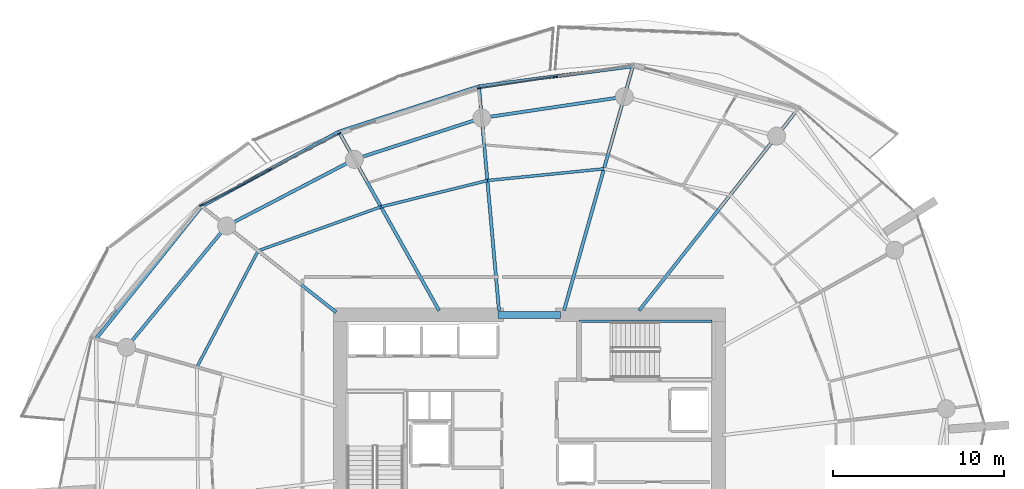
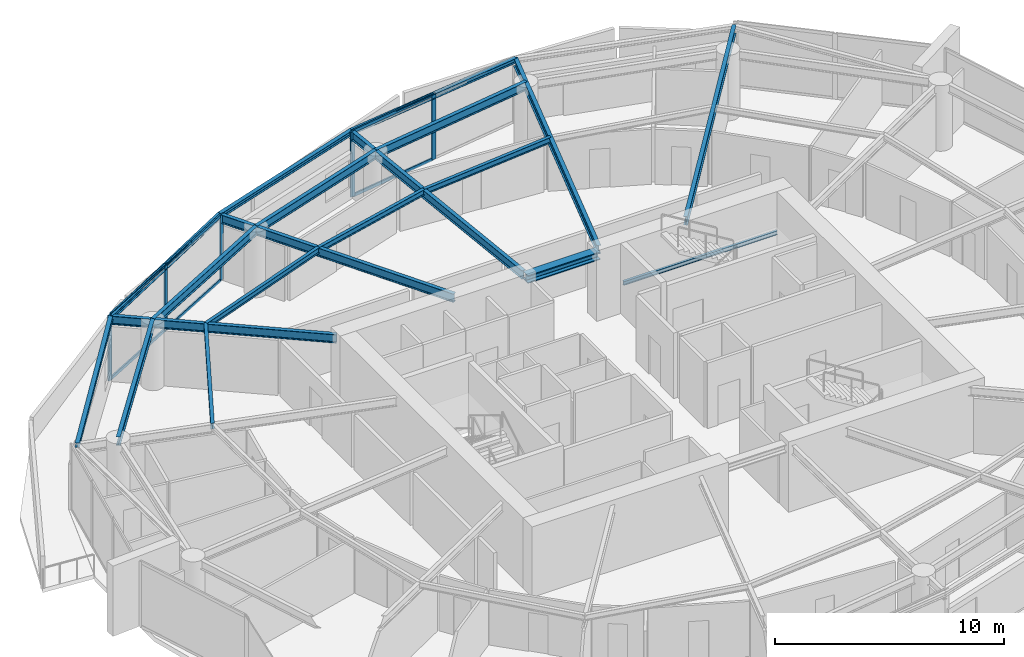
# One storey, part 8 of 20: 19 beams, 11 members, 2 elements without a shape of their own.
"""IFC4 building model written with IfcOpenShell, lengths in metres."""

from ifc_helpers import new_model, si_unit, direction, frame, origin, origin_2d, place, context, subcontext, project, spatial, rectangle, i_section, extrude, material, layer, layer_set, material_profile, profile_set, type_object, element, aggregate, save


model = new_model("IFC4")

# Units and contexts
model_context = context("Model", 3, precision=1e-05, world=origin(), true_north=direction((0.0, 1.0)))
body_context = subcontext(model_context, "Body", "Model", "MODEL_VIEW")
ifc_project = project(units=[si_unit("LENGTHUNIT", "METRE"), si_unit("AREAUNIT", "SQUARE_METRE"), si_unit("VOLUMEUNIT", "CUBIC_METRE"), si_unit("PLANEANGLEUNIT", "RADIAN"), si_unit("MASSUNIT", "GRAM", prefix="KILO")], contexts=[model_context])

# Site, building, storey
site_placement = place(None, origin())
site = spatial("IfcSite", under=ifc_project, at=site_placement, CompositionType="ELEMENT")
building_placement = place(site_placement, origin())
building = spatial("IfcBuilding", under=site, at=building_placement, Name="Kazma Halo Residences", CompositionType="ELEMENT")
storey_placement = place(building_placement, frame((0.0, 0.0, 131.550048828125)))
storey = spatial("IfcBuildingStorey", under=building, at=storey_placement, Name="L32", CompositionType="ELEMENT", Elevation=131.550048828125)

# Beams
ifc_material_1 = material(Name="Steel S355", Category="steel")
ifc_material_profile_1 = material_profile(ifc_material_1, i_section(OverallWidth=0.201904296875, OverallDepth=0.2470703125, WebThickness=0.00732421875, FlangeThickness=0.010986328125, FilletRadius=0.011962890625, at=origin_2d()), Name="W250x49.1")
ifc_profile_set_1 = profile_set([ifc_material_profile_1], Name="Steel S355")
beam_type_1 = type_object("IfcBeamType", Name="BM-BAL-CANT", PredefinedType="BEAM", material=ifc_profile_set_1)
beam_1_placement = place(storey_placement, frame((54.459228515625, 64.90234375, 3.37646484375), z_axis=(-0.991489228614, -0.130188745839, 0.0), x_axis=(0.130188745839, -0.991489228614, 0.0)))
element("IfcBeam", 1, at=beam_1_placement, inside=storey, type_object=beam_type_1, Name="L32 wave-balcony tie beam 03", PredefinedType="BEAM", context=body_context, shape_type="SweptSolid", body=[
    extrude(i_section(OverallWidth=0.201904296875, OverallDepth=0.2470703125, WebThickness=0.00732421875, FlangeThickness=0.010986328125, FilletRadius=0.011962890625, at=origin_2d()), origin(), (0.0, 0.0, 1.0), 9.053955078125),
])
beam_2_placement = place(storey_placement, frame((45.482421875, 63.7236328125, 3.37646484375), z_axis=(-0.951458235255, -0.307777885115, 0.0), x_axis=(0.307777885115, -0.951458235255, 0.0)))
element("IfcBeam", 2, at=beam_2_placement, inside=storey, type_object=beam_type_1, Name="L32 wave-balcony tie beam 04", PredefinedType="BEAM", context=body_context, shape_type="SweptSolid", body=[
    extrude(i_section(OverallWidth=0.201904296875, OverallDepth=0.2470703125, WebThickness=0.00732421875, FlangeThickness=0.010986328125, FilletRadius=0.011962890625, at=origin_2d()), origin(), (0.0, 0.0, 1.0), 8.585205078125),
])
beam_3_placement = place(storey_placement, frame((37.31396484375, 61.081298828125, 3.37646484375), z_axis=(-0.878572913315, -0.477608245312, 0.0), x_axis=(0.477608245312, -0.878572913315, 0.0)))
element("IfcBeam", 3, at=beam_3_placement, inside=storey, type_object=beam_type_1, Name="L32 wave-balcony tie beam 05", PredefinedType="BEAM", context=body_context, shape_type="SweptSolid", body=[
    extrude(i_section(OverallWidth=0.201904296875, OverallDepth=0.2470703125, WebThickness=0.00732421875, FlangeThickness=0.010986328125, FilletRadius=0.011962890625, at=origin_2d()), origin(), (0.0, 0.0, 1.0), 9.107177734375),
])
beam_4_placement = place(storey_placement, frame((29.312744140625, 56.731689453125, 3.37646484375), z_axis=(-0.623742400336, -0.781629975131, 0.0), x_axis=(0.781629975131, -0.623742400336, 0.0)))
element("IfcBeam", 4, at=beam_4_placement, inside=storey, type_object=beam_type_1, Name="L32 wave-balcony tie beam 06", PredefinedType="BEAM", context=body_context, shape_type="SweptSolid", body=[
    extrude(i_section(OverallWidth=0.201904296875, OverallDepth=0.2470703125, WebThickness=0.00732421875, FlangeThickness=0.010986328125, FilletRadius=0.011962890625, at=origin_2d()), origin(), (0.0, 0.0, 1.0), 9.880859375),
])
ifc_material_profile_2 = material_profile(ifc_material_1, i_section(OverallWidth=0.408935546875, OverallDepth=0.425048828125, WebThickness=0.03271484375, FlangeThickness=0.052490234375, FilletRadius=0.02001953125, at=origin_2d()), Name="W360x421")
ifc_profile_set_2 = profile_set([ifc_material_profile_2], Name="Steel S355")
beam_type_2 = type_object("IfcBeamType", Name="BM-CORE-W360H", PredefinedType="BEAM", material=ifc_profile_set_2)
beam_5_placement = place(storey_placement, frame((46.60009765625, 50.39990234375, 3.287353515625), z_axis=(1.0, 0.0, 0.0), x_axis=(0.0, 1.0, 0.0)))
element("IfcBeam", 5, at=beam_5_placement, inside=storey, type_object=beam_type_2, Name="L32 core coupling beam N", PredefinedType="BEAM", context=body_context, shape_type="SweptSolid", body=[
    extrude(i_section(OverallWidth=0.408935546875, OverallDepth=0.425048828125, WebThickness=0.03271484375, FlangeThickness=0.052490234375, FilletRadius=0.02001953125, at=origin_2d()), origin(), (0.0, 0.0, 1.0), 3.64990234375),
])
ifc_material_profile_3 = material_profile(ifc_material_1, i_section(OverallWidth=0.18994140625, OverallDepth=0.45703125, WebThickness=0.009033203125, FlangeThickness=0.014404296875, FilletRadius=0.01611328125, at=origin_2d()), Name="W460x74")
ifc_profile_set_3 = profile_set([ifc_material_profile_3], Name="Steel S355")
beam_type_3 = type_object("IfcBeamType", Name="BM-RAD-W460", PredefinedType="BEAM", material=ifc_profile_set_3)
beam_6_placement = place(storey_placement, frame((54.819091796875, 50.64990234375, 3.271484375), z_axis=(0.619094498239, 0.785316498139, 0.0), x_axis=(-0.785316498139, 0.619094498239, 0.0)))
element("IfcBeam", 6, at=beam_6_placement, inside=storey, type_object=beam_type_3, Name="L32 radial floor beam 02", PredefinedType="BEAM", context=body_context, shape_type="SweptSolid", body=[
    extrude(i_section(OverallWidth=0.18994140625, OverallDepth=0.45703125, WebThickness=0.009033203125, FlangeThickness=0.014404296875, FilletRadius=0.01611328125, at=origin_2d()), origin(), (0.0, 0.0, 1.0), 14.80517578125),
])
beam_7_placement = place(storey_placement, frame((50.439697265625, 50.64990234375, 3.271484375), z_axis=(0.271435886816, 0.962456523355, 0.0), x_axis=(-0.962456523355, 0.271435886816, 0.0)))
element("IfcBeam", 7, at=beam_7_placement, inside=storey, type_object=beam_type_3, Name="L32 radial floor beam 03", PredefinedType="BEAM", context=body_context, shape_type="SweptSolid", body=[
    extrude(i_section(OverallWidth=0.18994140625, OverallDepth=0.45703125, WebThickness=0.009033203125, FlangeThickness=0.014404296875, FilletRadius=0.01611328125, at=origin_2d()), origin(), (0.0, 0.0, 1.0), 14.808349609375),
])
beam_8_placement = place(storey_placement, frame((46.64990234375, 50.64990234375, 3.271484375), z_axis=(-0.088945777727, 0.996036469525, 0.0), x_axis=(-0.996036469525, -0.088945777727, 0.0)))
element("IfcBeam", 8, at=beam_8_placement, inside=storey, type_object=beam_type_3, Name="L32 radial floor beam 04", PredefinedType="BEAM", context=body_context, shape_type="SweptSolid", body=[
    extrude(i_section(OverallWidth=0.18994140625, OverallDepth=0.45703125, WebThickness=0.009033203125, FlangeThickness=0.014404296875, FilletRadius=0.01611328125, at=origin_2d()), origin(), (0.0, 0.0, 1.0), 13.125732421875),
])
beam_9_placement = place(storey_placement, frame((43.15576171875, 50.64990234375, 3.271484375), z_axis=(-0.488617048735, 0.872498355119, 0.0), x_axis=(-0.872498355119, -0.488617048735, 0.0)))
element("IfcBeam", 9, at=beam_9_placement, inside=storey, type_object=beam_type_3, Name="L32 radial floor beam 05", PredefinedType="BEAM", context=body_context, shape_type="SweptSolid", body=[
    extrude(i_section(OverallWidth=0.18994140625, OverallDepth=0.45703125, WebThickness=0.009033203125, FlangeThickness=0.014404296875, FilletRadius=0.01611328125, at=origin_2d()), origin(), (0.0, 0.0, 1.0), 11.955810546875),
])
beam_10_placement = place(storey_placement, frame((37.14990234375, 50.553466796875, 3.271484375), z_axis=(-0.785321544409, 0.619088097032, 0.0), x_axis=(-0.619088097032, -0.785321544409, 0.0)))
element("IfcBeam", 10, at=beam_10_placement, inside=storey, type_object=beam_type_3, Name="L32 radial floor beam 06", PredefinedType="BEAM", context=body_context, shape_type="SweptSolid", body=[
    extrude(i_section(OverallWidth=0.18994140625, OverallDepth=0.45703125, WebThickness=0.009033203125, FlangeThickness=0.014404296875, FilletRadius=0.01611328125, at=origin_2d()), origin(), (0.0, 0.0, 1.0), 9.9794921875),
])
ifc_material_profile_4 = material_profile(ifc_material_1, i_section(OverallWidth=0.1650390625, OverallDepth=0.31005859375, WebThickness=0.005859375, FlangeThickness=0.009765625, FilletRadius=0.011962890625, at=origin_2d()), Name="W310x38.7")
ifc_profile_set_4 = profile_set([ifc_material_profile_4], Name="Steel S355")
beam_type_4 = type_object("IfcBeamType", Name="BM-SEC-W310B", PredefinedType="JOIST", material=ifc_profile_set_4)
beam_11_placement = place(storey_placement, frame((52.77099609375, 58.91650390625, 3.344970703125), z_axis=(-0.994979001613, -0.100083896557, 0.0), x_axis=(0.100083896557, -0.994979001613, 0.0)))
element("IfcBeam", 11, at=beam_11_placement, inside=storey, type_object=beam_type_4, Name="L32 circumferential floor joist 03", PredefinedType="JOIST", context=body_context, shape_type="SweptSolid", body=[
    extrude(i_section(OverallWidth=0.1650390625, OverallDepth=0.31005859375, WebThickness=0.005859375, FlangeThickness=0.009765625, FilletRadius=0.011962890625, at=origin_2d()), origin(), (0.0, 0.0, 1.0), 6.832763671875),
])
beam_12_placement = place(storey_placement, frame((45.97265625, 58.232666015625, 3.344970703125), z_axis=(-0.970830601663, -0.239766434004, 0.0), x_axis=(0.239766434004, -0.970830601663, 0.0)))
element("IfcBeam", 12, at=beam_12_placement, inside=storey, type_object=beam_type_4, Name="L32 circumferential floor joist 04", PredefinedType="JOIST", context=body_context, shape_type="SweptSolid", body=[
    extrude(i_section(OverallWidth=0.1650390625, OverallDepth=0.31005859375, WebThickness=0.005859375, FlangeThickness=0.009765625, FilletRadius=0.011962890625, at=origin_2d()), origin(), (0.0, 0.0, 1.0), 6.3916015625),
])
beam_13_placement = place(storey_placement, frame((39.767578125, 56.7001953125, 3.344970703125), z_axis=(-0.941534087973, -0.336917736525, 0.0), x_axis=(0.336917736525, -0.941534087973, 0.0)))
element("IfcBeam", 13, at=beam_13_placement, inside=storey, type_object=beam_type_4, Name="L32 circumferential floor joist 05", PredefinedType="JOIST", context=body_context, shape_type="SweptSolid", body=[
    extrude(i_section(OverallWidth=0.1650390625, OverallDepth=0.31005859375, WebThickness=0.005859375, FlangeThickness=0.009765625, FilletRadius=0.011962890625, at=origin_2d()), origin(), (0.0, 0.0, 1.0), 7.60791015625),
])
beam_14_placement = place(storey_placement, frame((32.6044921875, 54.136962890625, 3.344970703125), z_axis=(-0.466019257875, -0.884774576539, 0.0), x_axis=(0.884774576539, -0.466019257875, 0.0)))
element("IfcBeam", 14, at=beam_14_placement, inside=storey, type_object=beam_type_4, Name="L32 circumferential floor joist 06", PredefinedType="JOIST", context=body_context, shape_type="SweptSolid", body=[
    extrude(i_section(OverallWidth=0.1650390625, OverallDepth=0.31005859375, WebThickness=0.005859375, FlangeThickness=0.009765625, FilletRadius=0.011962890625, at=origin_2d()), origin(), (0.0, 0.0, 1.0), 7.670654296875),
])
ifc_material_profile_5 = material_profile(ifc_material_1, i_section(OverallWidth=0.18994140625, OverallDepth=0.45703125, WebThickness=0.009033203125, FlangeThickness=0.014404296875, FilletRadius=0.01611328125, at=origin_2d()), Name="W460x74")
ifc_profile_set_5 = profile_set([ifc_material_profile_5], Name="Steel S355")
beam_type_5 = type_object("IfcBeamType", Name="BM-SPN-W460", PredefinedType="BEAM", material=ifc_profile_set_5)
beam_15_placement = place(storey_placement, frame((53.95703125, 63.121826171875, 3.271484375), z_axis=(-0.989037147603, -0.147666924735, 0.0), x_axis=(0.147666924735, -0.989037147603, 0.0)))
element("IfcBeam", 15, at=beam_15_placement, inside=storey, type_object=beam_type_5, Name="L32 perimeter ring beam 03", PredefinedType="BEAM", context=body_context, shape_type="SweptSolid", body=[
    extrude(i_section(OverallWidth=0.18994140625, OverallDepth=0.45703125, WebThickness=0.009033203125, FlangeThickness=0.014404296875, FilletRadius=0.01611328125, at=origin_2d()), origin(), (0.0, 0.0, 1.0), 8.402099609375),
])
beam_16_placement = place(storey_placement, frame((45.64697265625, 61.881103515625, 3.271484375), z_axis=(-0.95105634578, -0.309017519167, 0.0), x_axis=(0.309017519167, -0.95105634578, 0.0)))
element("IfcBeam", 16, at=beam_16_placement, inside=storey, type_object=beam_type_5, Name="L32 perimeter ring beam 04", PredefinedType="BEAM", context=body_context, shape_type="SweptSolid", body=[
    extrude(i_section(OverallWidth=0.18994140625, OverallDepth=0.45703125, WebThickness=0.009033203125, FlangeThickness=0.014404296875, FilletRadius=0.01611328125, at=origin_2d()), origin(), (0.0, 0.0, 1.0), 7.811279296875),
])
beam_17_placement = place(storey_placement, frame((38.218017578125, 59.46728515625, 3.271484375), z_axis=(-0.886943099021, -0.461878706046, 0.0), x_axis=(0.461878706046, -0.886943099021, 0.0)))
element("IfcBeam", 17, at=beam_17_placement, inside=storey, type_object=beam_type_5, Name="L32 perimeter ring beam 05", PredefinedType="BEAM", context=body_context, shape_type="SweptSolid", body=[
    extrude(i_section(OverallWidth=0.18994140625, OverallDepth=0.45703125, WebThickness=0.009033203125, FlangeThickness=0.014404296875, FilletRadius=0.01611328125, at=origin_2d()), origin(), (0.0, 0.0, 1.0), 8.40234375),
])
beam_18_placement = place(storey_placement, frame((30.765625, 55.58642578125, 3.271484375), z_axis=(-0.636018723515, -0.771673624882, 0.0), x_axis=(0.771673624882, -0.636018723515, 0.0)))
element("IfcBeam", 18, at=beam_18_placement, inside=storey, type_object=beam_type_5, Name="L32 perimeter ring beam 06", PredefinedType="BEAM", context=body_context, shape_type="SweptSolid", body=[
    extrude(i_section(OverallWidth=0.18994140625, OverallDepth=0.45703125, WebThickness=0.009033203125, FlangeThickness=0.014404296875, FilletRadius=0.01611328125, at=origin_2d()), origin(), (0.0, 0.0, 1.0), 9.175048828125),
])
ifc_material_profile_6 = material_profile(ifc_material_1, i_section(OverallWidth=0.133056640625, OverallDepth=0.20703125, WebThickness=0.005859375, FlangeThickness=0.00830078125, FilletRadius=0.010009765625, at=origin_2d()), Name="W200x26.6")
ifc_profile_set_6 = profile_set([ifc_material_profile_6], Name="Steel S355")
beam_type_6 = type_object("IfcBeamType", Name="BM-TRIM-W200", PredefinedType="BEAM", material=ifc_profile_set_6)
beam_19_placement = place(storey_placement, frame((51.31005859375, 50.02001953125, 1.570068359375), z_axis=(1.0, 0.0, 0.0), x_axis=(0.0, 1.0, 0.0)))
element("IfcBeam", 19, at=beam_19_placement, inside=storey, type_object=beam_type_6, Name="L32 ST-02 landing north wall ledger", PredefinedType="BEAM", context=body_context, shape_type="SweptSolid", body=[
    extrude(i_section(OverallWidth=0.133056640625, OverallDepth=0.20703125, WebThickness=0.005859375, FlangeThickness=0.00830078125, FilletRadius=0.010009765625, at=origin_2d()), origin(), (0.0, 0.0, 1.0), 7.760009765625),
])

# Curtain wall, members
ifc_material_2 = material(Name="Aluminium AW-6063 T6 and Triple-Silver Low-E Glass", Category="aluminium")
ifc_layer = layer(ifc_material_2, 0.219970703125)
ifc_layer_set = layer_set([ifc_layer], Name="Aluminium AW-6063 T6 and Triple-Silver Low-E Glass")
curtain_wall_type = type_object("IfcCurtainWallType", Name="CW-SYS-4", PredefinedType="NOTDEFINED", material=ifc_layer_set)
curtain_wall_1_placement = place(storey_placement, origin())
curtain_wall_1 = element("IfcCurtainWall", 20, at=curtain_wall_1_placement, inside=storey, type_object=curtain_wall_type, Name="L32 unitised curtain wall B03", PredefinedType="NOTDEFINED")
ifc_material_3 = material(Name="Aluminium AW-6063 T6", Category="aluminium")
ifc_material_profile_7 = material_profile(ifc_material_3, rectangle(XDim=0.074951171875, YDim=0.219970703125, at=origin_2d()), Name="CWM-75x220")
ifc_profile_set_7 = profile_set([ifc_material_profile_7], Name="Aluminium AW-6063 T6")
member_type_1 = type_object("IfcMemberType", Name="CW-SYS-4-MUL", PredefinedType="MULLION", material=ifc_profile_set_7)
member_1_placement = place(storey_placement, frame((49.960205078125, 64.28857421875, 0.0), z_axis=(0.0, 0.0, 1.0), x_axis=(0.148821022686, -0.988864148004, 0.0)))
member_1 = element("IfcMember", 21, at=member_1_placement, type_object=member_type_1, Name="CWS-4 mullion 2", PredefinedType="MULLION", context=body_context, shape_type="SweptSolid", body=[
    extrude(rectangle(XDim=0.074951171875, YDim=0.219970703125, at=origin_2d()), origin(), (0.0, 0.0, 1.0), 3.5),
])
member_2_placement = place(storey_placement, frame((45.4794921875, 63.6142578125, 0.0), z_axis=(0.0, 0.0, 1.0), x_axis=(0.148821022686, -0.988864148004, 0.0)))
member_2 = element("IfcMember", 22, at=member_2_placement, type_object=member_type_1, Name="CWS-4 mullion 3", PredefinedType="MULLION", context=body_context, shape_type="SweptSolid", body=[
    extrude(rectangle(XDim=0.074951171875, YDim=0.219970703125, at=origin_2d()), origin(), (0.0, 0.0, 1.0), 3.5),
])

curtain_wall_2_placement = place(storey_placement, origin())
curtain_wall_2 = element("IfcCurtainWall", 23, at=curtain_wall_2_placement, inside=storey, type_object=curtain_wall_type, Name="L32 unitised curtain wall B05", PredefinedType="NOTDEFINED")
member_3_placement = place(storey_placement, frame((37.33447265625, 60.9677734375, 0.0), z_axis=(0.0, 0.0, 1.0), x_axis=(0.460837484552, -0.887484542306, 0.0)))
member_3 = element("IfcMember", 24, at=member_3_placement, type_object=member_type_1, Name="CWS-4 mullion 1", PredefinedType="MULLION", context=body_context, shape_type="SweptSolid", body=[
    extrude(rectangle(XDim=0.074951171875, YDim=0.219970703125, at=origin_2d()), origin(), (0.0, 0.0, 1.0), 3.5),
])
member_4_placement = place(storey_placement, frame((33.313232421875, 58.879638671875, 0.0), z_axis=(0.0, 0.0, 1.0), x_axis=(0.460837484552, -0.887484542306, 0.0)))
member_4 = element("IfcMember", 25, at=member_4_placement, type_object=member_type_1, Name="CWS-4 mullion 2", PredefinedType="MULLION", context=body_context, shape_type="SweptSolid", body=[
    extrude(rectangle(XDim=0.074951171875, YDim=0.219970703125, at=origin_2d()), origin(), (0.0, 0.0, 1.0), 3.5),
])
member_5_placement = place(storey_placement, frame((29.2919921875, 56.791748046875, 0.0), z_axis=(0.0, 0.0, 1.0), x_axis=(0.460837484552, -0.887484542306, 0.0)))
member_5 = element("IfcMember", 26, at=member_5_placement, type_object=member_type_1, Name="CWS-4 mullion 3", PredefinedType="MULLION", context=body_context, shape_type="SweptSolid", body=[
    extrude(rectangle(XDim=0.074951171875, YDim=0.219970703125, at=origin_2d()), origin(), (0.0, 0.0, 1.0), 3.5),
])

# Member
ifc_material_profile_8 = material_profile(ifc_material_3, rectangle(XDim=0.074951171875, YDim=0.1650390625, at=origin_2d()), Name="CWT-75x165")
ifc_profile_set_8 = profile_set([ifc_material_profile_8], Name="Aluminium AW-6063 T6")
member_type_2 = type_object("IfcMemberType", Name="CW-SYS-4-TRN", PredefinedType="USERDEFINED", material=ifc_profile_set_8)
member_6_placement = place(storey_placement, frame((49.923095703125, 64.282958984375, 0.037353515625), z_axis=(-0.988866721231, -0.148803923478, 0.0), x_axis=(0.148803923478, -0.988866721231, 0.0)))
member_6 = element("IfcMember", 27, at=member_6_placement, type_object=member_type_2, Name="CWS-4 transom 2.1", ObjectType="TRANSOM", PredefinedType="USERDEFINED", context=body_context, shape_type="SweptSolid", body=[
    extrude(rectangle(XDim=0.074951171875, YDim=0.1650390625, at=origin_2d()), origin(), (0.0, 0.0, 1.0), 4.4560546875),
])

member_7_placement = place(storey_placement, frame((49.923095703125, 64.282958984375, 3.46240234375), z_axis=(-0.988866721231, -0.148803923478, 0.0), x_axis=(0.148803923478, -0.988866721231, 0.0)))
member_7 = element("IfcMember", 28, at=member_7_placement, type_object=member_type_2, Name="CWS-4 transom 2.2", ObjectType="TRANSOM", PredefinedType="USERDEFINED", context=body_context, shape_type="SweptSolid", body=[
    extrude(rectangle(XDim=0.074951171875, YDim=0.1650390625, at=origin_2d()), origin(), (0.0, 0.0, 1.0), 4.4560546875),
])

aggregate(curtain_wall_1, [member_1, member_2, member_6, member_7])

member_8_placement = place(storey_placement, frame((37.30126953125, 60.950439453125, 0.037353515625), z_axis=(-0.887484872803, -0.460836848077, 0.0), x_axis=(0.460836848077, -0.887484872803, 0.0)))
member_8 = element("IfcMember", 29, at=member_8_placement, type_object=member_type_2, Name="CWS-4 transom 1.1", ObjectType="TRANSOM", PredefinedType="USERDEFINED", context=body_context, shape_type="SweptSolid", body=[
    extrude(rectangle(XDim=0.074951171875, YDim=0.1650390625, at=origin_2d()), origin(), (0.0, 0.0, 1.0), 4.4560546875),
])

member_9_placement = place(storey_placement, frame((37.30126953125, 60.950439453125, 3.46240234375), z_axis=(-0.887484872803, -0.460836848077, 0.0), x_axis=(0.460836848077, -0.887484872803, 0.0)))
member_9 = element("IfcMember", 30, at=member_9_placement, type_object=member_type_2, Name="CWS-4 transom 1.2", ObjectType="TRANSOM", PredefinedType="USERDEFINED", context=body_context, shape_type="SweptSolid", body=[
    extrude(rectangle(XDim=0.074951171875, YDim=0.1650390625, at=origin_2d()), origin(), (0.0, 0.0, 1.0), 4.4560546875),
])

member_10_placement = place(storey_placement, frame((33.280029296875, 58.862548828125, 0.037353515625), z_axis=(-0.887484872803, -0.460836848077, 0.0), x_axis=(0.460836848077, -0.887484872803, 0.0)))
member_10 = element("IfcMember", 31, at=member_10_placement, type_object=member_type_2, Name="CWS-4 transom 2.1", ObjectType="TRANSOM", PredefinedType="USERDEFINED", context=body_context, shape_type="SweptSolid", body=[
    extrude(rectangle(XDim=0.074951171875, YDim=0.1650390625, at=origin_2d()), origin(), (0.0, 0.0, 1.0), 4.4560546875),
])

member_11_placement = place(storey_placement, frame((33.280029296875, 58.862548828125, 3.46240234375), z_axis=(-0.887484872803, -0.460836848077, 0.0), x_axis=(0.460836848077, -0.887484872803, 0.0)))
member_11 = element("IfcMember", 32, at=member_11_placement, type_object=member_type_2, Name="CWS-4 transom 2.2", ObjectType="TRANSOM", PredefinedType="USERDEFINED", context=body_context, shape_type="SweptSolid", body=[
    extrude(rectangle(XDim=0.074951171875, YDim=0.1650390625, at=origin_2d()), origin(), (0.0, 0.0, 1.0), 4.4560546875),
])

aggregate(curtain_wall_2, [member_3, member_4, member_5, member_8, member_9, member_10, member_11])

save(model, "model.ifc")
